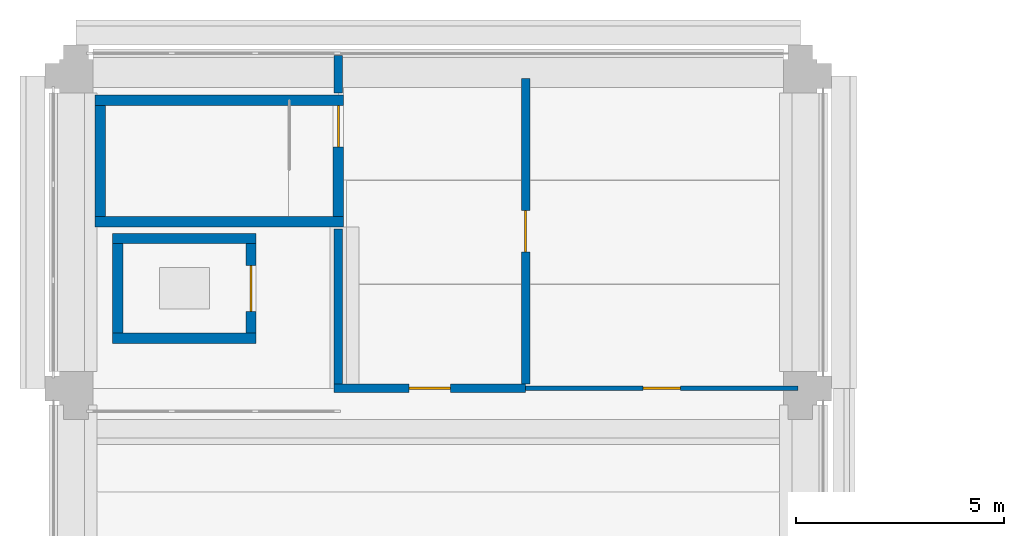
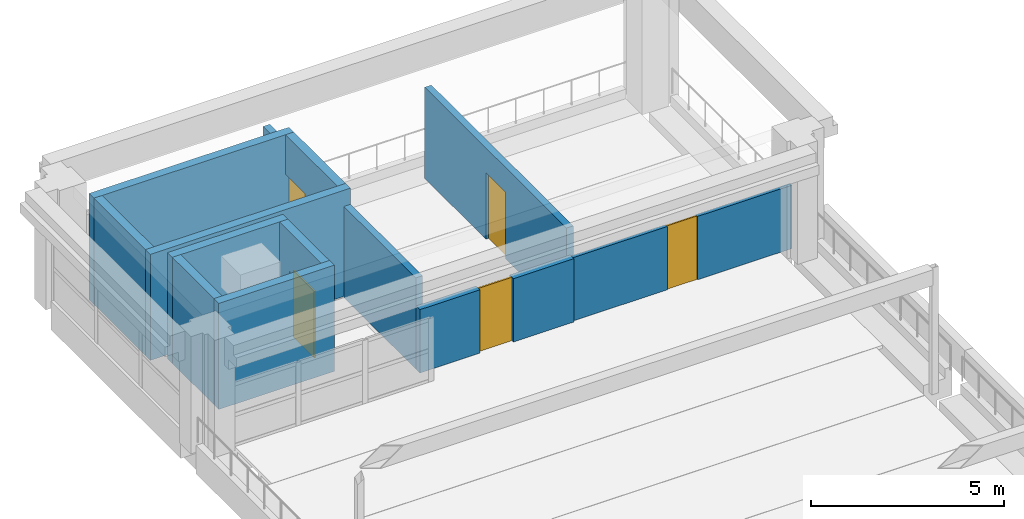
# One storey, part 44 of 62: 13 walls, 5 doors, 5 openings.
"""IFC4 building model written with IfcOpenShell, lengths in metres."""

import ifcopenshell
import ifcopenshell.guid

model = None  # the IFC model being written
_history = None  # IfcOwnerHistory: only IFC2X3 demands one
_inside = {}  # id of a spatial element -> (the spatial element, [elements in it])
_under = {}  # id of a project, library or spatial element -> (it, [spatial elements below it])
_declared = {}  # id of a project -> (the project, [libraries it declares])
_typed = {}  # id of a type object -> (the type object, [elements of that type])
_made_of = {}  # id of a material, layer set ... -> (it, [elements and type objects made of it])


def new_model(schema):
    """Start an empty IFC model of exactly this schema.

    Asked for "IFC4X3", IfcOpenShell would pick the latest addendum, in which some entities
    have other attributes; the version numbers below select the first issue.
    IFC2X3 requires an IfcOwnerHistory on every rooted entity: one is made here for all.
    """
    global model, _history
    if schema == "IFC4X3":
        model = ifcopenshell.file(schema_version=(4, 3, 0, 0))
    else:
        model = ifcopenshell.file(schema=schema)
    _inside.clear()
    _under.clear()
    _declared.clear()
    _typed.clear()
    _made_of.clear()
    _history = None
    if model.schema == "IFC2X3":
        org = make("IfcOrganization", Name="unknown")
        user = make(
            "IfcPersonAndOrganization",
            ThePerson=make("IfcPerson", FamilyName="unknown"),
            TheOrganization=org,
        )
        app = make(
            "IfcApplication",
            ApplicationDeveloper=org,
            Version="unknown",
            ApplicationFullName="unknown",
            ApplicationIdentifier="unknown",
        )
        _history = make(
            "IfcOwnerHistory",
            OwningUser=user,
            OwningApplication=app,
            ChangeAction="ADDED",
            CreationDate=0,
        )
    return model


def make(cls, **values):
    """One entity of the class cls with the attributes given. An attribute that is None is left unset."""
    return model.create_entity(
        cls, **{name: value for name, value in values.items() if value is not None}
    )


def rooted(cls, **values):
    """An entity with a GlobalId (a new one), such as an element, a storey or a relation."""
    return make(cls, GlobalId=ifcopenshell.guid.new(), OwnerHistory=_history, **values)


def si_unit(unit_type, name, prefix=None):
    """IfcSIUnit, for example si_unit("LENGTHUNIT", "METRE", prefix="MILLI")."""
    return make("IfcSIUnit", UnitType=unit_type, Prefix=prefix, Name=name)


def assignment(units):
    """IfcUnitAssignment: the units of a project."""
    return None if units is None else make("IfcUnitAssignment", Units=units)


def point(xyz):
    """IfcCartesianPoint."""
    return None if xyz is None else make("IfcCartesianPoint", Coordinates=xyz)


def direction(xyz):
    """IfcDirection."""
    return None if xyz is None else make("IfcDirection", DirectionRatios=xyz)


def frame(location, z_axis=None, x_axis=None):
    """IfcAxis2Placement3D, a coordinate frame: its origin and axes. An axis left out is left unset."""
    return make(
        "IfcAxis2Placement3D",
        Location=point(location),
        Axis=direction(z_axis),
        RefDirection=direction(x_axis),
    )


def frame_2d(location, x_axis=None):
    """IfcAxis2Placement2D, a coordinate frame in the plane: its origin and x axis."""
    return make(
        "IfcAxis2Placement2D", Location=point(location), RefDirection=direction(x_axis)
    )


def origin():
    """The frame at (0, 0, 0) with its axes left unset."""
    return frame((0.0, 0.0, 0.0))


def place(relative_to, where):
    """IfcLocalPlacement: puts the frame where relative to a parent placement (None: the world)."""
    return make(
        "IfcLocalPlacement", PlacementRelTo=relative_to, RelativePlacement=where
    )


def context(
    kind, dimensions, precision=None, world=None, true_north=None, identifier=None
):
    """IfcGeometricRepresentationContext, for example the 3D "Model" context."""
    return make(
        "IfcGeometricRepresentationContext",
        ContextIdentifier=identifier,
        ContextType=kind,
        CoordinateSpaceDimension=dimensions,
        Precision=precision,
        WorldCoordinateSystem=world,
        TrueNorth=true_north,
    )


def subcontext(parent, identifier, kind, view, scale=None):
    """IfcGeometricRepresentationSubContext, for example "Body" below "Model"."""
    return make(
        "IfcGeometricRepresentationSubContext",
        ContextIdentifier=identifier,
        ContextType=kind,
        ParentContext=parent,
        TargetScale=scale,
        TargetView=view,
    )


def project(units=None, contexts=None):
    """IfcProject with its units and contexts."""
    return rooted(
        "IfcProject",
        Name="project",
        RepresentationContexts=contexts,
        UnitsInContext=assignment(units),
    )


def spatial(cls, under=None, at=None, **own):
    """A site, building, storey or space (cls), placed at a placement, below another one or the project."""
    s = rooted(cls, ObjectPlacement=at, **own)
    if under is not None:
        _under.setdefault(under.id(), (under, []))[1].append(s)
    return s


def profile(cls, at=None, kind="AREA", **sizes):
    """A parametric profile (cls). Its sizes go by their IFC names, for example OverallWidth=200.0."""
    return make(cls, ProfileType=kind, Position=at, **sizes)


def rectangle(**sizes):
    """IfcRectangleProfileDef."""
    return profile("IfcRectangleProfileDef", **sizes)


def extrude(swept, where, along, depth):
    """IfcExtrudedAreaSolid: the profile swept, set in the frame where, extruded along a direction by depth."""
    return make(
        "IfcExtrudedAreaSolid",
        SweptArea=swept,
        Position=where,
        ExtrudedDirection=direction(along),
        Depth=depth,
    )


def shape(context_of_items, identifier, shape_type, items):
    """IfcShapeRepresentation: the items that make up one representation, for example the "Body"."""
    return make(
        "IfcShapeRepresentation",
        ContextOfItems=context_of_items,
        RepresentationIdentifier=identifier,
        RepresentationType=shape_type,
        Items=items,
    )


def material(Name=None, Category=None):
    """IfcMaterial."""
    return make("IfcMaterial", Name=Name, Category=Category)


def layer(
    of_material, thickness, ventilated=None, Name=None, Category=None, Priority=None
):
    """IfcMaterialLayer: one layer of a wall or slab, of a material (None: an air gap)."""
    return make(
        "IfcMaterialLayer",
        Material=of_material,
        LayerThickness=thickness,
        IsVentilated=ventilated,
        Name=Name,
        Category=Category,
        Priority=Priority,
    )


def layer_set(layers, Name=None):
    """IfcMaterialLayerSet."""
    return make("IfcMaterialLayerSet", MaterialLayers=layers, LayerSetName=Name)


def made_of(thing, what):
    """Note that an element or type object is made of a material, layer set ...; save() writes the relation."""
    if what is not None:
        _made_of.setdefault(what.id(), (what, []))[1].append(thing)
    return thing


def type_object(cls, material=None, **own):
    """A type object (cls), such as IfcWallType, which elements share."""
    return made_of(rooted(cls, **own), material)


def element(
    cls,
    number,
    at=None,
    inside=None,
    cuts=None,
    type_object=None,
    material=None,
    context=None,
    identifier="Body",
    shape_type=None,
    held_by="IfcProductDefinitionShape",
    body=None,
    shapes=None,
    **own,
):
    """One element of the class cls, such as IfcWall. Its Tag is "e" and its number.

    at: its placement. inside: the storey or other place that contains it. cuts: it is an
    opening in that element (IfcRelVoidsElement). A single representation is given by context,
    identifier, shape_type and body (its items); several are given by shapes. held_by: the class
    of the entity that holds the representations. save() writes the other relations.
    """
    e = rooted(cls, Tag="e%d" % number, ObjectPlacement=at, **own)
    if body is not None:
        shapes = [shape(context, identifier, shape_type, body)]
    if shapes is not None:
        e.Representation = make(held_by, Representations=shapes)
    if inside is not None:
        _inside.setdefault(inside.id(), (inside, []))[1].append(e)
    if cuts is not None:
        rooted(
            "IfcRelVoidsElement", RelatingBuildingElement=cuts, RelatedOpeningElement=e
        )
    if type_object is not None:
        _typed.setdefault(type_object.id(), (type_object, []))[1].append(e)
    return made_of(e, material)


def fill(opening, filler):
    """IfcRelFillsElement: the door or window that sits in an opening."""
    return rooted(
        "IfcRelFillsElement",
        RelatingOpeningElement=opening,
        RelatedBuildingElement=filler,
    )


def aggregate(whole, parts):
    """IfcRelAggregates: a whole, such as a stair, and the parts it consists of."""
    return rooted("IfcRelAggregates", RelatingObject=whole, RelatedObjects=parts)


def save(model, path):
    """Write the relations noted so far, then the file.

    IfcRelAggregates (storeys below a building ...), IfcRelContainedInSpatialStructure (elements
    in a storey), IfcRelDefinesByType, IfcRelAssociatesMaterial and IfcRelDeclares: one each for
    every whole, place, type object, material and project.
    """
    for whole, parts in _under.values():
        aggregate(whole, parts)
    for where, things in _inside.values():
        rooted(
            "IfcRelContainedInSpatialStructure",
            RelatedElements=things,
            RelatingStructure=where,
        )
    for kind, things in _typed.values():
        rooted("IfcRelDefinesByType", RelatedObjects=things, RelatingType=kind)
    for what, things in _made_of.values():
        rooted("IfcRelAssociatesMaterial", RelatedObjects=things, RelatingMaterial=what)
    for by, libraries in _declared.values():
        rooted("IfcRelDeclares", RelatingContext=by, RelatedDefinitions=libraries)
    model.write(path)


model = new_model("IFC4")

# Units and contexts
model_context = context("Model", 3, precision=1e-05, world=origin(), true_north=direction((0.0, 1.0)))
body_context = subcontext(model_context, "Body", "Model", "MODEL_VIEW")
ifc_project = project(units=[si_unit("LENGTHUNIT", "METRE"), si_unit("AREAUNIT", "SQUARE_METRE"), si_unit("VOLUMEUNIT", "CUBIC_METRE"), si_unit("PLANEANGLEUNIT", "RADIAN"), si_unit("MASSUNIT", "GRAM", prefix="KILO")], contexts=[model_context])

# Site, building, storey
site_placement = place(None, origin())
site = spatial("IfcSite", under=ifc_project, at=site_placement, CompositionType="ELEMENT")
building_placement = place(site_placement, origin())
building = spatial("IfcBuilding", under=site, at=building_placement, Name="Cour d'Honneur Mobility Palace", CompositionType="ELEMENT")
storey_placement = place(building_placement, frame((0.0, 0.0, 19.300048828125)))
storey = spatial("IfcBuildingStorey", under=building, at=storey_placement, Name="L05", CompositionType="ELEMENT", Elevation=19.300048828125)

# Walls
ifc_material_1 = material(Name="Concrete C50", Category="concrete")
ifc_layer_1 = layer(ifc_material_1, 0.25)
ifc_layer_set_1 = layer_set([ifc_layer_1], Name="Concrete C50")
wall_type_1 = type_object("IfcWallType", Name="Lift shaft wall 250", PredefinedType="SHEAR", material=ifc_layer_set_1)
for number, where, z_axis, x_axis, name in (
    (1, (0.875, 108.60009765625, 0.0), (0.0, 0.0, 1.0), (1.0, 0.0, 0.0), "Lift shaft wall WL-NW1 L05"),
    (2, (0.875, 111.0, 0.0), (0.0, 0.0, 1.0), (1.0, 0.0, 0.0), "Lift shaft wall WL-NW2 L05"),
):
    element("IfcWall", number, at=place(storey_placement, frame(where, z_axis=z_axis, x_axis=x_axis)), inside=storey, type_object=wall_type_1, Name=name, PredefinedType="SHEAR", context=body_context, shape_type="SweptSolid", body=[
        extrude(rectangle(XDim=3.449951171875, YDim=0.25, at=frame_2d((1.72509765625, 0.0))), origin(), (0.0, 0.0, 1.0), 3.349853515625),
    ])
wall_1_placement = place(storey_placement, frame((1.0, 108.72509765625, 0.0), z_axis=(0.0, 0.0, 1.0), x_axis=(0.0, 1.0, 0.0)))
element("IfcWall", 3, at=wall_1_placement, inside=storey, type_object=wall_type_1, Name="Lift shaft wall WL-NW6 L05", PredefinedType="SHEAR", context=body_context, shape_type="SweptSolid", body=[
    extrude(rectangle(XDim=2.14990234375, YDim=0.25, at=frame_2d((1.074951171875, 0.0))), origin(), (0.0, 0.0, 1.0), 3.349853515625),
])

# Wall, opening, door
wall_2_placement = place(storey_placement, frame((4.199951171875, 108.72509765625, 0.0), z_axis=(0.0, 0.0, 1.0), x_axis=(0.0, 1.0, 0.0)))
wall_2 = element("IfcWall", 4, at=wall_2_placement, inside=storey, type_object=wall_type_1, Name="Lift shaft wall WL-NW7 L05", PredefinedType="SHEAR", context=body_context, shape_type="SweptSolid", body=[
    extrude(rectangle(XDim=2.14990234375, YDim=0.25, at=frame_2d((1.074951171875, 0.0))), origin(), (0.0, 0.0, 1.0), 3.349853515625),
])
opening_1_placement = place(wall_2_placement, frame((0.52490234375, 0.0, 0.0)))
opening_1 = element("IfcOpeningElement", 5, at=opening_1_placement, cuts=wall_2, Name="Opening LD58", PredefinedType="OPENING", context=body_context, shape_type="SweptSolid", body=[
    extrude(rectangle(XDim=1.10009765625, YDim=2.10009765625, at=frame_2d((0.550048828125, 1.050048828125))), frame((0.0, 0.135009765625, 0.0), z_axis=(0.0, -1.0, 0.0), x_axis=(1.0, 0.0, 0.0)), (0.0, 0.0, 1.0), 0.27001953125),
])
ifc_material_2 = material(Name="Stainless steel", Category="steel")
door_type_1 = type_object("IfcDoorType", Name="Landing door 1100 x 2100", OperationType="SLIDING_TO_LEFT", PredefinedType="DOOR", material=ifc_material_2)
door_1_placement = place(opening_1_placement, origin())
door_1 = element("IfcDoor", 6, at=door_1_placement, inside=storey, type_object=door_type_1, Name="Landing door LF-NW1 L05", OperationType="SLIDING_TO_LEFT", OverallHeight=2.10009765625, OverallWidth=1.10009765625, PredefinedType="DOOR", context=body_context, shape_type="SweptSolid", body=[
    extrude(rectangle(XDim=1.10009765625, YDim=2.10009765625, at=frame_2d((0.550048828125, 1.050048828125))), frame((0.0, 0.02490234375, 0.0), z_axis=(0.0, -1.0, 0.0), x_axis=(1.0, 0.0, 0.0)), (0.0, 0.0, 1.0), 0.050048828125),
])
fill(opening_1, door_1)

ifc_material_3 = material(Name="Gypsum plasterboard")
ifc_layer_2 = layer(ifc_material_3, 0.10009765625)
ifc_layer_set_2 = layer_set([ifc_layer_2], Name="Gypsum plasterboard")
wall_type_2 = type_object("IfcWallType", Name="Partition 100 under beam 1700", PredefinedType="PARTITIONING", material=ifc_layer_set_2)
wall_3_placement = place(storey_placement, frame((10.800048828125, 107.39990234375, 0.0), z_axis=(0.0, 0.0, 1.0), x_axis=(1.0, 0.0, 0.0)))
wall_3 = element("IfcWall", 7, at=wall_3_placement, inside=storey, type_object=wall_type_2, Name="Partition 071", PredefinedType="PARTITIONING", context=body_context, shape_type="SweptSolid", body=[
    extrude(rectangle(XDim=6.5400390625, YDim=0.10009765625, at=frame_2d((3.27001953125, 0.0))), origin(), (0.0, 0.0, 1.0), 2.0),
])
opening_2_placement = place(wall_3_placement, frame((2.820068359375, 0.0, 0.0)))
opening_2 = element("IfcOpeningElement", 8, at=opening_2_placement, cuts=wall_3, Name="Opening D0514", PredefinedType="OPENING", context=body_context, shape_type="SweptSolid", body=[
    extrude(rectangle(XDim=0.89990234375, YDim=2.0, at=frame_2d((0.449951171875, 1.0))), frame((0.0, 0.06005859375, 0.0), z_axis=(0.0, -1.0, 0.0), x_axis=(1.0, 0.0, 0.0)), (0.0, 0.0, 1.0), 0.1201171875),
])
ifc_material_4 = material(Name="Solid timber", Category="wood")
door_type_2 = type_object("IfcDoorType", Name="Single door 900 x 2000", OperationType="SINGLE_SWING_LEFT", PredefinedType="DOOR", material=ifc_material_4)
door_2_placement = place(opening_2_placement, frame((0.89990234375, 0.0, 0.0), z_axis=(0.0, 0.0, 1.0), x_axis=(-1.0, 0.0, 0.0)))
door_2 = element("IfcDoor", 9, at=door_2_placement, inside=storey, type_object=door_type_2, Name="Door Cycle Terrace Lounge", OperationType="SINGLE_SWING_LEFT", OverallHeight=2.0, OverallWidth=0.89990234375, PredefinedType="DOOR", context=body_context, shape_type="SweptSolid", body=[
    extrude(rectangle(XDim=0.89990234375, YDim=2.0, at=frame_2d((0.449951171875, 1.0))), frame((0.0, 0.02490234375, 0.0), z_axis=(0.0, -1.0, 0.0), x_axis=(1.0, 0.0, 0.0)), (0.0, 0.0, 1.0), 0.050048828125),
])
fill(opening_2, door_2)

ifc_material_5 = material(Name="Gypsum plasterboard")
ifc_layer_3 = layer(ifc_material_5, 0.199951171875)
ifc_layer_set_3 = layer_set([ifc_layer_3], Name="Gypsum plasterboard")
wall_type_3 = type_object("IfcWallType", Name="Partition 200 rated EI 120", PredefinedType="PARTITIONING", material=ifc_layer_set_3)
wall_4_placement = place(storey_placement, frame((10.800048828125, 107.5, 0.0), z_axis=(0.0, 0.0, 1.0), x_axis=(0.0, 1.0, 0.0)))
wall_4 = element("IfcWall", 10, at=wall_4_placement, inside=storey, type_object=wall_type_3, Name="Partition 072", PredefinedType="PARTITIONING", context=body_context, shape_type="SweptSolid", body=[
    extrude(rectangle(XDim=7.340087890625, YDim=0.199951171875, at=frame_2d((3.669921875, 0.0))), origin(), (0.0, 0.0, 1.0), 2.8798828125),
])
opening_3_placement = place(wall_4_placement, frame((3.169921875, 0.0, 0.0)))
opening_3 = element("IfcOpeningElement", 11, at=opening_3_placement, cuts=wall_4, Name="Opening D0513", PredefinedType="OPENING", context=body_context, shape_type="SweptSolid", body=[
    extrude(rectangle(XDim=1.0, YDim=2.10009765625, at=frame_2d((0.5, 1.050048828125))), frame((0.0, 0.10986328125, 0.0), z_axis=(0.0, -1.0, 0.0), x_axis=(1.0, 0.0, 0.0)), (0.0, 0.0, 1.0), 0.219970703125),
])
ifc_material_6 = material(Name="Galvanised steel", Category="steel")
door_type_3 = type_object("IfcDoorType", Name="Fire door FD120 1000 x 2100", OperationType="SINGLE_SWING_LEFT", PredefinedType="DOOR", material=ifc_material_6)
door_3_placement = place(opening_3_placement, origin())
door_3 = element("IfcDoor", 12, at=door_3_placement, inside=storey, type_object=door_type_3, Name="Door Cycle Terrace Lounge", OperationType="SINGLE_SWING_RIGHT", OverallHeight=2.10009765625, OverallWidth=1.0, PredefinedType="DOOR", context=body_context, shape_type="SweptSolid", body=[
    extrude(rectangle(XDim=1.0, YDim=2.10009765625, at=frame_2d((0.5, 1.050048828125))), frame((0.0, 0.02490234375, 0.0), z_axis=(0.0, -1.0, 0.0), x_axis=(1.0, 0.0, 0.0)), (0.0, 0.0, 1.0), 0.050048828125),
])
fill(opening_3, door_3)

# Walls
wall_5_placement = place(storey_placement, frame((6.300048828125, 111.22509765625, 0.0), z_axis=(0.0, 0.0, 1.0), x_axis=(0.0, -1.0, 0.0)))
element("IfcWall", 13, at=wall_5_placement, inside=storey, type_object=wall_type_3, Name="Partition 076", PredefinedType="PARTITIONING", context=body_context, shape_type="SweptSolid", body=[
    extrude(rectangle(XDim=3.72509765625, YDim=0.199951171875, at=frame_2d((1.862548828125, 0.0))), origin(), (0.0, 0.0, 1.0), 2.8798828125),
])
wall_6_placement = place(storey_placement, frame((6.300048828125, 115.39990234375, 0.0), z_axis=(0.0, 0.0, 1.0), x_axis=(0.0, -1.0, 0.0)))
element("IfcWall", 14, at=wall_6_placement, inside=storey, type_object=wall_type_3, Name="Partition 078", PredefinedType="PARTITIONING", context=body_context, shape_type="SweptSolid", body=[
    extrude(rectangle(XDim=0.89990234375, YDim=0.199951171875, at=frame_2d((0.449951171875, 0.0))), origin(), (0.0, 0.0, 1.0), 2.8798828125),
])

# Wall, opening, door
ifc_material_7 = material(Name="Gypsum plasterboard")
ifc_layer_4 = layer(ifc_material_7, 0.199951171875)
ifc_layer_set_4 = layer_set([ifc_layer_4], Name="Gypsum plasterboard")
wall_type_4 = type_object("IfcWallType", Name="Partition 200 rated EI 120 under beam 1700", PredefinedType="PARTITIONING", material=ifc_layer_set_4)
wall_7_placement = place(storey_placement, frame((6.199951171875, 107.39990234375, 0.0), z_axis=(0.0, 0.0, 1.0), x_axis=(1.0, 0.0, 0.0)))
wall_7 = element("IfcWall", 15, at=wall_7_placement, inside=storey, type_object=wall_type_4, Name="Partition 070", PredefinedType="PARTITIONING", context=body_context, shape_type="SweptSolid", body=[
    extrude(rectangle(XDim=4.60009765625, YDim=0.199951171875, at=frame_2d((2.300048828125, 0.0))), origin(), (0.0, 0.0, 1.0), 2.0),
])
opening_4_placement = place(wall_7_placement, frame((1.800048828125, 0.0, 0.0)))
opening_4 = element("IfcOpeningElement", 16, at=opening_4_placement, cuts=wall_7, Name="Opening D0502", PredefinedType="OPENING", context=body_context, shape_type="SweptSolid", body=[
    extrude(rectangle(XDim=1.0, YDim=2.0, at=frame_2d((0.5, 1.0))), frame((0.0, 0.10986328125, 0.0), z_axis=(0.0, -1.0, 0.0), x_axis=(1.0, 0.0, 0.0)), (0.0, 0.0, 1.0), 0.219970703125),
])
ifc_material_8 = material(Name="Galvanised steel", Category="steel")
door_type_4 = type_object("IfcDoorType", Name="Fire door FD120 1000 x 2000", OperationType="SINGLE_SWING_LEFT", PredefinedType="DOOR", material=ifc_material_8)
door_4_placement = place(opening_4_placement, frame((1.0, 0.0, 0.0), z_axis=(0.0, 0.0, 1.0), x_axis=(-1.0, 0.0, 0.0)))
door_4 = element("IfcDoor", 17, at=door_4_placement, inside=storey, type_object=door_type_4, Name="Door Lift Lobby NW", OperationType="SINGLE_SWING_LEFT", OverallHeight=2.0, OverallWidth=1.0, PredefinedType="DOOR", context=body_context, shape_type="SweptSolid", body=[
    extrude(rectangle(XDim=1.0, YDim=2.0, at=frame_2d((0.5, 1.0))), frame((0.0, 0.02490234375, 0.0), z_axis=(0.0, -1.0, 0.0), x_axis=(1.0, 0.0, 0.0)), (0.0, 0.0, 1.0), 0.050048828125),
])
fill(opening_4, door_4)

# Walls
ifc_material_9 = material(Name="Concrete C50", Category="concrete")
ifc_layer_5 = layer(ifc_material_9, 0.25)
ifc_layer_set_5 = layer_set([ifc_layer_5], Name="Concrete C50")
wall_type_5 = type_object("IfcWallType", Name="Stair wall 250", PredefinedType="SHEAR", material=ifc_layer_set_5)
for number, where, z_axis, x_axis, name in (
    (18, (0.449951171875, 111.39990234375, 0.0), (0.0, 0.0, 1.0), (1.0, 0.0, 0.0), "Stair wall WS-NW3 L05"),
    (19, (0.449951171875, 114.324951171875, 0.0), (0.0, 0.0, 1.0), (1.0, 0.0, 0.0), "Stair wall WS-NW4 L05"),
):
    element("IfcWall", number, at=place(storey_placement, frame(where, z_axis=z_axis, x_axis=x_axis)), inside=storey, type_object=wall_type_5, Name=name, PredefinedType="SHEAR", context=body_context, shape_type="SweptSolid", body=[
        extrude(rectangle(XDim=5.97509765625, YDim=0.25, at=frame_2d((2.987548828125, 0.0))), origin(), (0.0, 0.0, 1.0), 3.349853515625),
    ])
wall_8_placement = place(storey_placement, frame((0.574951171875, 111.52490234375, 0.0), z_axis=(0.0, 0.0, 1.0), x_axis=(0.0, 1.0, 0.0)))
element("IfcWall", 20, at=wall_8_placement, inside=storey, type_object=wall_type_5, Name="Stair wall WS-NW5 L05", PredefinedType="SHEAR", context=body_context, shape_type="SweptSolid", body=[
    extrude(rectangle(XDim=2.675048828125, YDim=0.25, at=frame_2d((1.33740234375, 0.0))), origin(), (0.0, 0.0, 1.0), 3.349853515625),
])

# Wall, opening, door
wall_9_placement = place(storey_placement, frame((6.300048828125, 111.52490234375, 0.0), z_axis=(0.0, 0.0, 1.0), x_axis=(0.0, 1.0, 0.0)))
wall_9 = element("IfcWall", 21, at=wall_9_placement, inside=storey, type_object=wall_type_5, Name="Stair wall WS-NW8 L05", PredefinedType="SHEAR", context=body_context, shape_type="SweptSolid", body=[
    extrude(rectangle(XDim=2.675048828125, YDim=0.25, at=frame_2d((1.33740234375, 0.0))), origin(), (0.0, 0.0, 1.0), 3.349853515625),
])
opening_5_placement = place(wall_9_placement, frame((1.675048828125, 0.0, 0.0)))
opening_5 = element("IfcOpeningElement", 22, at=opening_5_placement, cuts=wall_9, Name="Opening S102", PredefinedType="OPENING", context=body_context, shape_type="SweptSolid", body=[
    extrude(rectangle(XDim=1.0, YDim=2.10009765625, at=frame_2d((0.5, 1.050048828125))), frame((0.0, 0.135009765625, 0.0), z_axis=(0.0, -1.0, 0.0), x_axis=(1.0, 0.0, 0.0)), (0.0, 0.0, 1.0), 0.27001953125),
])
ifc_material_10 = material(Name="Galvanised steel", Category="steel")
door_type_5 = type_object("IfcDoorType", Name="Fire door FD120 stair 1000 x 2100", OperationType="SINGLE_SWING_LEFT", PredefinedType="DOOR", material=ifc_material_10)
door_5_placement = place(opening_5_placement, origin())
door_5 = element("IfcDoor", 23, at=door_5_placement, inside=storey, type_object=door_type_5, Name="Stair door ST-NW1 L05", OperationType="SINGLE_SWING_LEFT", OverallHeight=2.10009765625, OverallWidth=1.0, PredefinedType="DOOR", context=body_context, shape_type="SweptSolid", body=[
    extrude(rectangle(XDim=1.0, YDim=2.10009765625, at=frame_2d((0.5, 1.050048828125))), frame((0.0, 0.02490234375, 0.0), z_axis=(0.0, -1.0, 0.0), x_axis=(1.0, 0.0, 0.0)), (0.0, 0.0, 1.0), 0.050048828125),
])
fill(opening_5, door_5)

save(model, "model.ifc")
